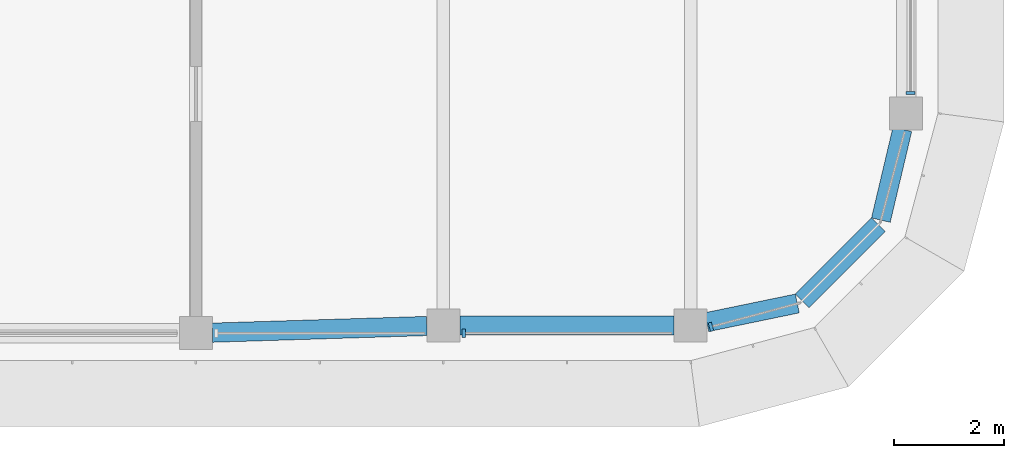
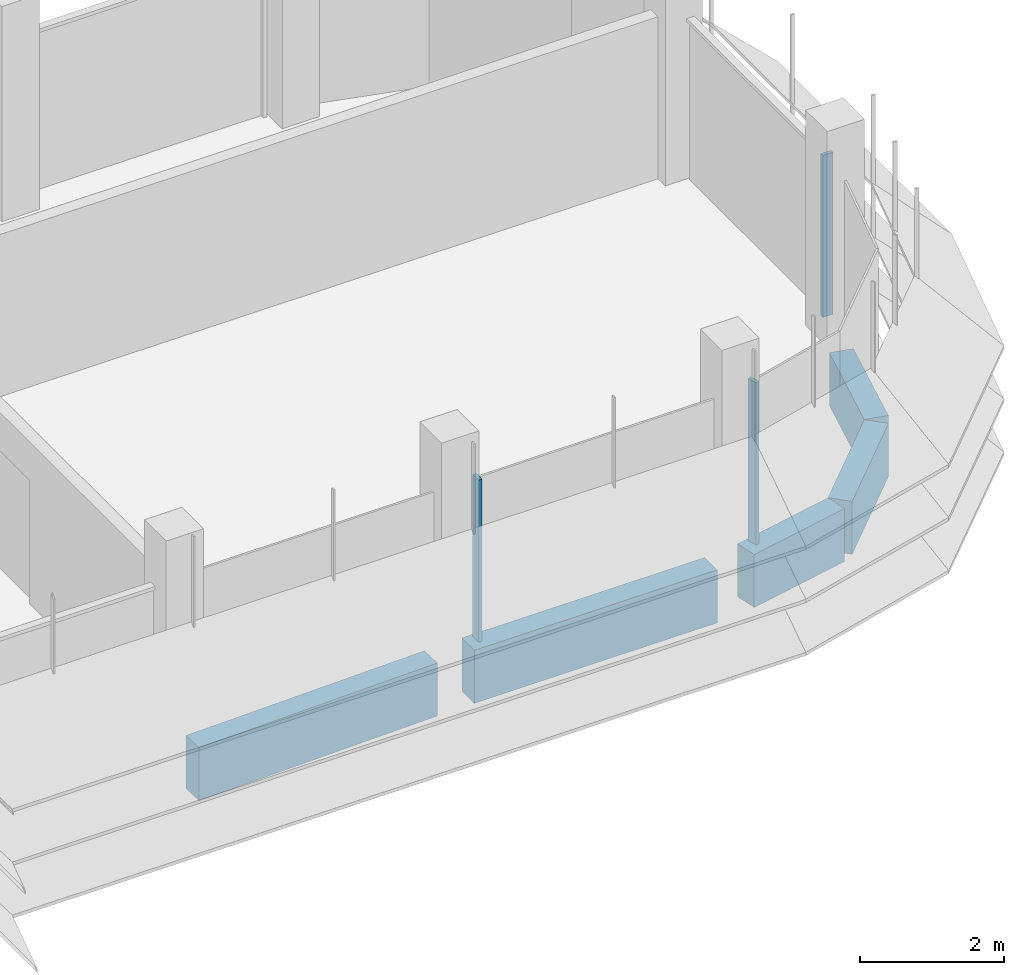
# One storey, part 5 of 19: 5 beams, 3 members, 3 elements without a shape of their own.
"""IFC4 building model written with IfcOpenShell, lengths in metres."""

from ifc_helpers import new_model, si_unit, direction, frame, origin, origin_2d, place, context, subcontext, project, spatial, polyline, rectangle, outline, extrude, source, transform, mapped, material, material_profile, profile_set, type_object, element, aggregate, save


model = new_model("IFC4")

# Units and contexts
model_context = context("Model", 3, precision=1e-05, world=origin(), true_north=direction((0.0, 1.0)))
body_context = subcontext(model_context, "Body", "Model", "MODEL_VIEW")
ifc_project = project(units=[si_unit("LENGTHUNIT", "METRE"), si_unit("AREAUNIT", "SQUARE_METRE"), si_unit("VOLUMEUNIT", "CUBIC_METRE"), si_unit("PLANEANGLEUNIT", "RADIAN"), si_unit("MASSUNIT", "GRAM", prefix="KILO")], contexts=[model_context])

# Site, building, storey
site_placement = place(None, origin())
site = spatial("IfcSite", under=ifc_project, at=site_placement, CompositionType="ELEMENT")
building_placement = place(site_placement, origin())
building = spatial("IfcBuilding", under=site, at=building_placement, Name="Zarbagh Exchange Tower", CompositionType="ELEMENT")
storey_placement = place(building_placement, frame((0.0, 0.0, 268.800048828125)))
storey = spatial("IfcBuildingStorey", under=building, at=storey_placement, Name="L66", CompositionType="ELEMENT", Elevation=268.800048828125)

# Beams
ifc_material_1 = material(Name="Concrete C40/50", Category="concrete")
ifc_material_profile = material_profile(ifc_material_1, rectangle(XDim=0.35009765625, YDim=0.89990234375, at=origin_2d()), Name="RC spandrel beam 350 x 900 C40/50")
ifc_profile_set = profile_set([ifc_material_profile], Name="Concrete C40/50")
beam_type = type_object("IfcBeamType", Name="RC spandrel beam 350 x 900 C40/50", PredefinedType="SPANDREL", material=ifc_profile_set)
beam_1_placement = place(storey_placement, frame((28.600830078125, -2.5419921875, -0.60009765625), z_axis=(-0.230258391117, -0.973129525459, 0.0), x_axis=(0.973129525459, -0.230258391117, 0.0)))
element("IfcBeam", 1, at=beam_1_placement, inside=storey, type_object=beam_type, Name="RC spandrel beam", PredefinedType="SPANDREL", context=body_context, shape_type="SweptSolid", body=[
    extrude(rectangle(XDim=0.35009765625, YDim=0.89990234375, at=origin_2d()), origin(), (0.0, 0.0, 1.0), 1.696533203125),
])
beam_2_placement = place(storey_placement, frame((28.163818359375, -4.2763671875, -0.60009765625), z_axis=(-0.707106781187, -0.707106781187, 0.0), x_axis=(0.707106781187, -0.707106781187, 0.0)))
element("IfcBeam", 2, at=beam_2_placement, inside=storey, type_object=beam_type, Name="RC spandrel beam", PredefinedType="SPANDREL", context=body_context, shape_type="SweptSolid", body=[
    extrude(rectangle(XDim=0.35009765625, YDim=0.89990234375, at=origin_2d()), origin(), (0.0, 0.0, 1.0), 1.95947265625),
])
beam_3_placement = place(storey_placement, frame((26.68994140625, -5.70947265625, -0.60009765625), z_axis=(-0.979349753205, -0.202173343684, 0.0), x_axis=(0.202173343684, -0.979349753205, 0.0)))
element("IfcBeam", 3, at=beam_3_placement, inside=storey, type_object=beam_type, Name="RC spandrel beam", PredefinedType="SPANDREL", context=body_context, shape_type="SweptSolid", body=[
    extrude(rectangle(XDim=0.35009765625, YDim=0.89990234375, at=origin_2d()), origin(), (0.0, 0.0, 1.0), 1.680908203125),
])
beam_4_placement = place(storey_placement, frame((24.449951171875, -6.110107421875, -0.60009765625), z_axis=(-1.0, 0.0, 0.0), x_axis=(0.0, -1.0, 0.0)))
element("IfcBeam", 4, at=beam_4_placement, inside=storey, type_object=beam_type, Name="RC spandrel beam", PredefinedType="SPANDREL", context=body_context, shape_type="SweptSolid", body=[
    extrude(rectangle(XDim=0.35009765625, YDim=0.89990234375, at=origin_2d()), origin(), (0.0, 0.0, 1.0), 3.89990234375),
])
beam_5_placement = place(storey_placement, frame((19.9501953125, -6.119384765625, -0.60009765625), z_axis=(-0.999516460907, -0.031094121249, 0.0), x_axis=(0.031094121249, -0.999516460907, 0.0)))
element("IfcBeam", 5, at=beam_5_placement, inside=storey, type_object=beam_type, Name="RC spandrel beam", PredefinedType="SPANDREL", context=body_context, shape_type="SweptSolid", body=[
    extrude(rectangle(XDim=0.35009765625, YDim=0.89990234375, at=origin_2d()), origin(), (0.0, 0.0, 1.0), 3.90234375),
])

# Curtain wall, member
ifc_material_2 = material(Name="Anodised aluminium frame and glazing", Category="aluminium")
curtain_wall_type = type_object("IfcCurtainWallType", Name="CWB Ribbon glazing, upper zones", PredefinedType="NOTDEFINED", material=ifc_material_2)
curtain_wall_1_placement = place(storey_placement, origin())
curtain_wall_1 = element("IfcCurtainWall", 6, at=curtain_wall_1_placement, inside=storey, type_object=curtain_wall_type, Name="CWB75 curtain wall", PredefinedType="NOTDEFINED")
ifc_material_3 = material(Name="Anodised aluminium frame", Category="aluminium")
member_type = type_object("IfcMemberType", Name="MUB Mullion, anodised aluminium frame", PredefinedType="MULLION", material=ifc_material_3)
shared_shape = source(origin(), body_context, "Body", "SweptSolid", [
    extrude(outline(polyline([(0.0, -0.080078125), (0.06005859375, -0.080078125), (0.06005859375, 0.080078125), (0.0, 0.080078125), (0.0, -0.080078125)])), origin(), (0.0, 0.0, 1.0), 2.75),
])
placement = place(storey_placement, origin())
member_1 = element("IfcMember", 7, at=placement, type_object=member_type, Name="CWB75 mullion 3.1", PredefinedType="MULLION", context=body_context, shape_type="MappedRepresentation", body=[
    mapped(shared_shape, transform((20.590087890625, -6.25, 0.0), x_axis=(1.0, 0.0, 0.0), y_axis=(0.0, 1.0, 0.0), z_axis=(0.0, 0.0, 1.0))),
])
aggregate(curtain_wall_1, [member_1])

curtain_wall_2_placement = place(storey_placement, origin())
curtain_wall_2 = element("IfcCurtainWall", 8, at=curtain_wall_2_placement, inside=storey, type_object=curtain_wall_type, Name="CWB76 curtain wall", PredefinedType="NOTDEFINED")
member_2 = element("IfcMember", 9, at=placement, type_object=member_type, Name="CWB76 mullion 1.1", PredefinedType="MULLION", context=body_context, shape_type="MappedRepresentation", body=[
    mapped(shared_shape, transform((25.08984375, -6.141357421875, 0.0), x_axis=(0.965924289636, 0.258824779902, 0.0), y_axis=(-0.258824779902, 0.965924289636, 0.0), z_axis=(0.0, 0.0, 1.0))),
])
aggregate(curtain_wall_2, [member_2])

curtain_wall_3_placement = place(storey_placement, origin())
curtain_wall_3 = element("IfcCurtainWall", 10, at=curtain_wall_3_placement, inside=storey, type_object=curtain_wall_type, Name="CWB83 curtain wall", PredefinedType="NOTDEFINED")
member_3 = element("IfcMember", 11, at=placement, type_object=member_type, Name="CWB83 mullion 1.1", PredefinedType="MULLION", context=body_context, shape_type="MappedRepresentation", body=[
    mapped(shared_shape, transform((28.75, -1.909912109375, 0.0), x_axis=(0.0, 1.0, 0.0), y_axis=(-1.0, 0.0, 0.0), z_axis=(0.0, 0.0, 1.0))),
])
aggregate(curtain_wall_3, [member_3])

save(model, "model.ifc")
